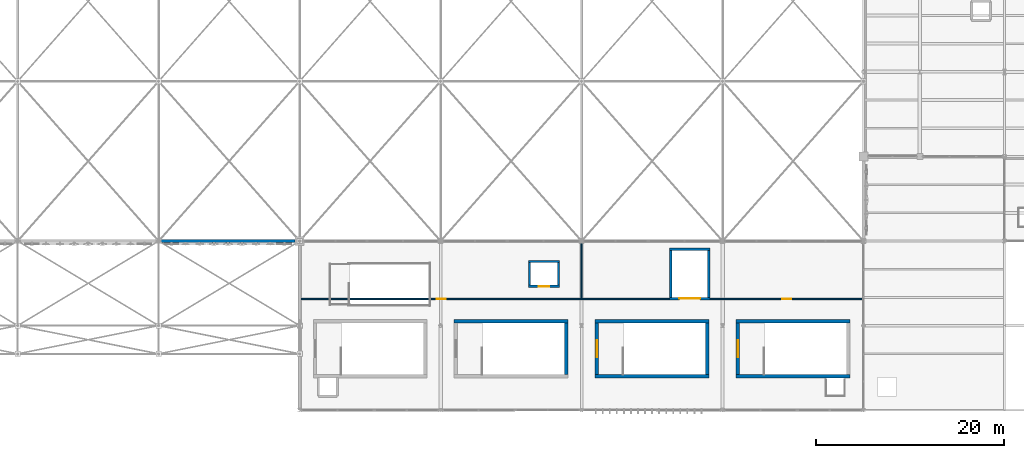
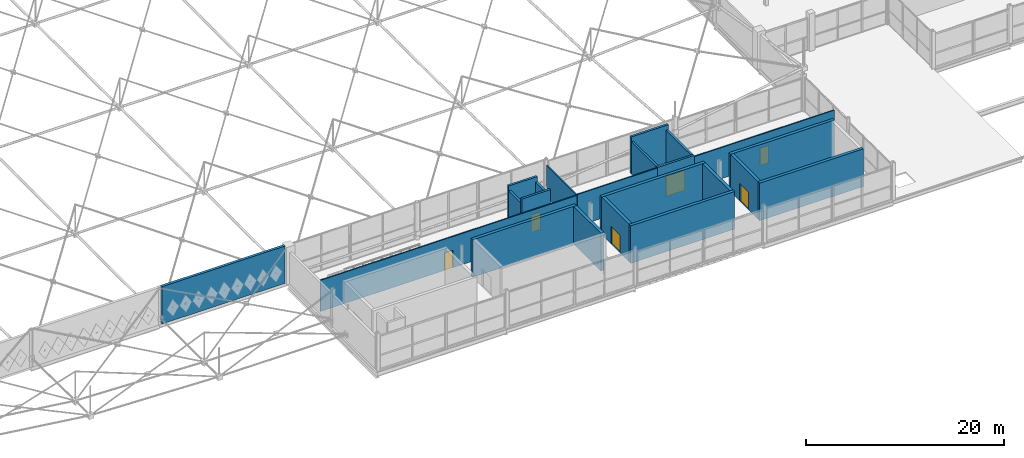
# One storey, part 194 of 224: 22 walls, 6 doors, 6 openings.
"""IFC4 building model written with IfcOpenShell, lengths in metres."""

from ifc_helpers import new_model, si_unit, direction, frame, frame_2d, origin, place, context, subcontext, project, spatial, rectangle, extrude, material, layer, layer_set, type_object, element, fill, save


model = new_model("IFC4")

# Units and contexts
model_context = context("Model", 3, precision=1e-05, world=origin(), true_north=direction((0.0, 1.0)))
body_context = subcontext(model_context, "Body", "Model", "MODEL_VIEW")
ifc_project = project(units=[si_unit("LENGTHUNIT", "METRE"), si_unit("AREAUNIT", "SQUARE_METRE"), si_unit("VOLUMEUNIT", "CUBIC_METRE"), si_unit("PLANEANGLEUNIT", "RADIAN"), si_unit("MASSUNIT", "GRAM", prefix="KILO")], contexts=[model_context])

# Site, building, storey
site_placement = place(None, origin())
site = spatial("IfcSite", under=ifc_project, at=site_placement, CompositionType="ELEMENT")
building_placement = place(site_placement, origin())
building = spatial("IfcBuilding", under=site, at=building_placement, Name="Qamarlyn Nura Convention Centre", CompositionType="ELEMENT")
storey_placement = place(building_placement, frame((0.0, 0.0, 10.800048828125)))
storey = spatial("IfcBuildingStorey", under=building, at=storey_placement, Name="L02", CompositionType="ELEMENT", Elevation=10.800048828125)

# Walls
ifc_material_1 = material(Name="Concrete C50/60", Category="concrete")
ifc_layer_1 = layer(ifc_material_1, 0.35009765625, Name="WT-CORE-350")
ifc_layer_set_1 = layer_set([ifc_layer_1], Name="Concrete C50/60")
wall_type_1 = type_object("IfcWallType", Name="WT-CORE-350", PredefinedType="SHEAR", material=ifc_layer_set_1)
wall_1_placement = place(storey_placement, frame((88.550048828125, 9.47509765625, 0.0), z_axis=(0.0, 0.0, 1.0), x_axis=(-1.0, 0.0, 0.0)))
element("IfcWall", 1, at=wall_1_placement, inside=storey, type_object=wall_type_1, Name="L02 stair core shear wall ST-06-N", PredefinedType="SHEAR", context=body_context, shape_type="SweptSolid", body=[
    extrude(rectangle(XDim=12.10009765625, YDim=0.35009765625, at=frame_2d((6.050048828125, 0.0))), origin(), (0.0, 0.0, 1.0), 4.625),
])
wall_2_placement = place(storey_placement, frame((88.375, 3.800048828125, 0.0), z_axis=(0.0, 0.0, 1.0), x_axis=(0.0, 1.0, 0.0)))
element("IfcWall", 2, at=wall_2_placement, inside=storey, type_object=wall_type_1, Name="L02 stair core shear wall ST-06-E", PredefinedType="SHEAR", context=body_context, shape_type="SweptSolid", body=[
    extrude(rectangle(XDim=5.5, YDim=0.35009765625, at=frame_2d((2.75, 0.0))), origin(), (0.0, 0.0, 1.0), 4.625),
])
for number, where, z_axis, x_axis, name in (
    (3, (91.449951171875, 3.625, 0.0), (0.0, 0.0, 1.0), (1.0, 0.0, 0.0), "L02 stair core shear wall ST-07-S"),
    (4, (103.550048828125, 9.47509765625, 0.0), (0.0, 0.0, 1.0), (-1.0, 0.0, 0.0), "L02 stair core shear wall ST-07-N"),
):
    element("IfcWall", number, at=place(storey_placement, frame(where, z_axis=z_axis, x_axis=x_axis)), inside=storey, type_object=wall_type_1, Name=name, PredefinedType="SHEAR", context=body_context, shape_type="SweptSolid", body=[
        extrude(rectangle(XDim=12.10009765625, YDim=0.35009765625, at=frame_2d((6.050048828125, 0.0))), origin(), (0.0, 0.0, 1.0), 4.625),
    ])

# Wall, opening, door
wall_3_placement = place(storey_placement, frame((91.625, 9.300048828125, 0.0), z_axis=(0.0, 0.0, 1.0), x_axis=(0.0, -1.0, 0.0)))
wall_3 = element("IfcWall", 5, at=wall_3_placement, inside=storey, type_object=wall_type_1, Name="L02 stair core shear wall ST-07-W", PredefinedType="SHEAR", context=body_context, shape_type="SweptSolid", body=[
    extrude(rectangle(XDim=5.5, YDim=0.35009765625, at=frame_2d((2.75, 0.0))), origin(), (0.0, 0.0, 1.0), 4.625),
])
opening_1_placement = place(wall_3_placement, frame((1.85009765625, 0.0, 0.0)))
opening_1 = element("IfcOpeningElement", 6, at=opening_1_placement, cuts=wall_3, Name="Opening DS-024", PredefinedType="OPENING", context=body_context, shape_type="SweptSolid", body=[
    extrude(rectangle(XDim=1.800048828125, YDim=2.199951171875, at=frame_2d((0.89990234375, 1.10009765625))), frame((0.0, 0.18505859375, 0.0), z_axis=(0.0, -1.0, 0.0), x_axis=(1.0, 0.0, 0.0)), (0.0, 0.0, 1.0), 0.3701171875),
])
ifc_material_2 = material(Name="Galvanised fire-rated hollow steel door", Category="steel")
door_type_1 = type_object("IfcDoorType", Name="DR-STAIR-1800", OperationType="DOUBLE_DOOR_SINGLE_SWING", PredefinedType="DOOR", material=ifc_material_2)
door_1_placement = place(opening_1_placement, origin())
door_1 = element("IfcDoor", 7, at=door_1_placement, inside=storey, type_object=door_type_1, Name="L02 exit stair door ST-07 (DS-024)", OperationType="DOUBLE_DOOR_SINGLE_SWING", OverallHeight=2.199951171875, OverallWidth=1.800048828125, PredefinedType="DOOR", context=body_context, shape_type="SweptSolid", body=[
    extrude(rectangle(XDim=1.800048828125, YDim=2.199951171875, at=frame_2d((0.89990234375, 1.10009765625))), frame((0.0, 0.02490234375, 0.0), z_axis=(0.0, -1.0, 0.0), x_axis=(1.0, 0.0, 0.0)), (0.0, 0.0, 1.0), 0.050048828125),
])
fill(opening_1, door_1)

# Walls
wall_4_placement = place(storey_placement, frame((103.375, 3.800048828125, 0.0), z_axis=(0.0, 0.0, 1.0), x_axis=(0.0, 1.0, 0.0)))
element("IfcWall", 8, at=wall_4_placement, inside=storey, type_object=wall_type_1, Name="L02 stair core shear wall ST-07-E", PredefinedType="SHEAR", context=body_context, shape_type="SweptSolid", body=[
    extrude(rectangle(XDim=5.5, YDim=0.35009765625, at=frame_2d((2.75, 0.0))), origin(), (0.0, 0.0, 1.0), 4.625),
])
for number, where, z_axis, x_axis, name in (
    (9, (106.449951171875, 3.625, 0.0), (0.0, 0.0, 1.0), (1.0, 0.0, 0.0), "L02 stair core shear wall ST-08-S"),
    (10, (118.550048828125, 9.47509765625, 0.0), (0.0, 0.0, 1.0), (-1.0, 0.0, 0.0), "L02 stair core shear wall ST-08-N"),
):
    element("IfcWall", number, at=place(storey_placement, frame(where, z_axis=z_axis, x_axis=x_axis)), inside=storey, type_object=wall_type_1, Name=name, PredefinedType="SHEAR", context=body_context, shape_type="SweptSolid", body=[
        extrude(rectangle(XDim=12.10009765625, YDim=0.35009765625, at=frame_2d((6.050048828125, 0.0))), origin(), (0.0, 0.0, 1.0), 4.625),
    ])

# Wall, opening, door
wall_5_placement = place(storey_placement, frame((106.625, 9.300048828125, 0.0), z_axis=(0.0, 0.0, 1.0), x_axis=(0.0, -1.0, 0.0)))
wall_5 = element("IfcWall", 11, at=wall_5_placement, inside=storey, type_object=wall_type_1, Name="L02 stair core shear wall ST-08-W", PredefinedType="SHEAR", context=body_context, shape_type="SweptSolid", body=[
    extrude(rectangle(XDim=5.5, YDim=0.35009765625, at=frame_2d((2.75, 0.0))), origin(), (0.0, 0.0, 1.0), 4.625),
])
opening_2_placement = place(wall_5_placement, frame((1.85009765625, 0.0, 0.0)))
opening_2 = element("IfcOpeningElement", 12, at=opening_2_placement, cuts=wall_5, Name="Opening DS-028", PredefinedType="OPENING", context=body_context, shape_type="SweptSolid", body=[
    extrude(rectangle(XDim=1.800048828125, YDim=2.199951171875, at=frame_2d((0.89990234375, 1.10009765625))), frame((0.0, 0.18505859375, 0.0), z_axis=(0.0, -1.0, 0.0), x_axis=(1.0, 0.0, 0.0)), (0.0, 0.0, 1.0), 0.3701171875),
])
door_2_placement = place(opening_2_placement, origin())
door_2 = element("IfcDoor", 13, at=door_2_placement, inside=storey, type_object=door_type_1, Name="L02 exit stair door ST-08 (DS-028)", OperationType="DOUBLE_DOOR_SINGLE_SWING", OverallHeight=2.199951171875, OverallWidth=1.800048828125, PredefinedType="DOOR", context=body_context, shape_type="SweptSolid", body=[
    extrude(rectangle(XDim=1.800048828125, YDim=2.199951171875, at=frame_2d((0.89990234375, 1.10009765625))), frame((0.0, 0.02490234375, 0.0), z_axis=(0.0, -1.0, 0.0), x_axis=(1.0, 0.0, 0.0)), (0.0, 0.0, 1.0), 0.050048828125),
])
fill(opening_2, door_2)

# Walls
ifc_material_3 = material(Name="Concrete C40/50 with UAE coastal limestone stone facing", Category="masonry")
ifc_layer_2 = layer(ifc_material_3, 0.300048828125, Name="WT-LIME-300")
ifc_layer_set_2 = layer_set([ifc_layer_2], Name="Concrete C40/50 with UAE coastal limestone stone facing")
wall_type_2 = type_object("IfcWallType", Name="WT-LIME-300", PredefinedType="SOLIDWALL", material=ifc_layer_set_2)
wall_6_placement = place(storey_placement, frame((59.52490234375, 18.0, 0.0), z_axis=(0.0, 0.0, 1.0), x_axis=(-1.0, 0.0, 0.0)))
element("IfcWall", 14, at=wall_6_placement, inside=storey, type_object=wall_type_2, Name="L02 exterior facade wall WEXT-L02-595-180-452-180", PredefinedType="SOLIDWALL", context=body_context, shape_type="SweptSolid", body=[
    extrude(rectangle(XDim=14.32177734375, YDim=0.300048828125, at=frame_2d((7.160888671875, 0.0))), origin(), (0.0, 0.0, 1.0), 4.599853515625),
])
ifc_material_4 = material(Name="Acoustic double-stud gypsum partition")
ifc_layer_3 = layer(ifc_material_4, 0.135009765625, Name="WT-PART-135")
ifc_layer_set_3 = layer_set([ifc_layer_3], Name="Acoustic double-stud gypsum partition")
wall_type_3 = type_object("IfcWallType", Name="WT-PART-135", PredefinedType="PARTITIONING", material=ifc_layer_set_3)
wall_7_placement = place(storey_placement, frame((90.0, 17.7900390625, 0.0), z_axis=(0.0, 0.0, 1.0), x_axis=(0.0, -1.0, 0.0)))
element("IfcWall", 15, at=wall_7_placement, inside=storey, type_object=wall_type_3, Name="L02 interior partition L02-BRK-SG1-2-1", PredefinedType="PARTITIONING", context=body_context, shape_type="SweptSolid", body=[
    extrude(rectangle(XDim=5.949951171875, YDim=0.135009765625, at=frame_2d((2.97509765625, 0.0))), origin(), (0.0, 0.0, 1.0), 3.926025390625),
])

# Wall, opening, door
wall_8_placement = place(storey_placement, frame((90.0, 11.840087890625, 0.0), z_axis=(0.0, 0.0, 1.0), x_axis=(-1.0, 0.0, 0.0)))
wall_8 = element("IfcWall", 16, at=wall_8_placement, inside=storey, type_object=wall_type_3, Name="L02 interior partition L02-BRK-SG1-3-1", PredefinedType="PARTITIONING", context=body_context, shape_type="SweptSolid", body=[
    extrude(rectangle(XDim=29.860107421875, YDim=0.135009765625, at=frame_2d((14.93017578125, 0.0))), origin(), (0.0, 0.0, 1.0), 3.8369140625),
])
opening_3_placement = place(wall_8_placement, frame((14.4599609375, 0.0, 0.0)))
opening_3 = element("IfcOpeningElement", 17, at=opening_3_placement, cuts=wall_8, Name="Opening D-L02-184", PredefinedType="OPENING", context=body_context, shape_type="SweptSolid", body=[
    extrude(rectangle(XDim=0.93994140625, YDim=2.14990234375, at=frame_2d((0.469970703125, 1.074951171875))), frame((0.0, 0.07763671875, 0.0), z_axis=(0.0, -1.0, 0.0), x_axis=(1.0, 0.0, 0.0)), (0.0, 0.0, 1.0), 0.155029296875),
])
ifc_material_5 = material(Name="Acoustic walnut timber leaf", Category="wood")
door_type_2 = type_object("IfcDoorType", Name="DR-ROOM-0940", OperationType="NOTDEFINED", PredefinedType="DOOR", material=ifc_material_5)
door_3_placement = place(opening_3_placement, origin())
door_3 = element("IfcDoor", 18, at=door_3_placement, inside=storey, type_object=door_type_2, Name="L02 Gallery Conference Suite 201 door D-L02-184", OperationType="SINGLE_SWING_LEFT", OverallHeight=2.14990234375, OverallWidth=0.93994140625, PredefinedType="DOOR", context=body_context, shape_type="SweptSolid", body=[
    extrude(rectangle(XDim=0.93994140625, YDim=2.14990234375, at=frame_2d((0.469970703125, 1.074951171875))), frame((0.0, 0.02490234375, 0.0), z_axis=(0.0, -1.0, 0.0), x_axis=(1.0, 0.0, 0.0)), (0.0, 0.0, 1.0), 0.050048828125),
])
fill(opening_3, door_3)

wall_9_placement = place(storey_placement, frame((119.988037109375, 11.840087890625, 0.0), z_axis=(0.0, 0.0, 1.0), x_axis=(-1.0, 0.0, 0.0)))
wall_9 = element("IfcWall", 19, at=wall_9_placement, inside=storey, type_object=wall_type_3, Name="L02 interior partition L02-BRK-SG2-2-1", PredefinedType="PARTITIONING", context=body_context, shape_type="SweptSolid", body=[
    extrude(rectangle(XDim=16.338134765625, YDim=0.135009765625, at=frame_2d((8.1689453125, 0.0))), origin(), (0.0, 0.0, 1.0), 3.8369140625),
])
opening_4_placement = place(wall_9_placement, frame((7.678955078125, 0.0, 0.0)))
opening_4 = element("IfcOpeningElement", 20, at=opening_4_placement, cuts=wall_9, Name="Opening D-L02-185", PredefinedType="OPENING", context=body_context, shape_type="SweptSolid", body=[
    extrude(rectangle(XDim=0.97998046875, YDim=2.14990234375, at=frame_2d((0.489990234375, 1.074951171875))), frame((0.0, 0.07763671875, 0.0), z_axis=(0.0, -1.0, 0.0), x_axis=(1.0, 0.0, 0.0)), (0.0, 0.0, 1.0), 0.155029296875),
])
door_type_3 = type_object("IfcDoorType", Name="DR-ROOM-0980", OperationType="NOTDEFINED", PredefinedType="DOOR", material=ifc_material_5)
door_4_placement = place(opening_4_placement, origin())
door_4 = element("IfcDoor", 21, at=door_4_placement, inside=storey, type_object=door_type_3, Name="L02 Gallery Conference Suite 202 door D-L02-185", OperationType="SINGLE_SWING_RIGHT", OverallHeight=2.14990234375, OverallWidth=0.97998046875, PredefinedType="DOOR", context=body_context, shape_type="SweptSolid", body=[
    extrude(rectangle(XDim=0.97998046875, YDim=2.14990234375, at=frame_2d((0.489990234375, 1.074951171875))), frame((0.0, 0.02490234375, 0.0), z_axis=(0.0, -1.0, 0.0), x_axis=(1.0, 0.0, 0.0)), (0.0, 0.0, 1.0), 0.050048828125),
])
fill(opening_4, door_4)

# Wall
wall_10_placement = place(storey_placement, frame((99.35009765625, 11.840087890625, 0.0), z_axis=(0.0, 0.0, 1.0), x_axis=(-1.0, 0.0, 0.0)))
element("IfcWall", 22, at=wall_10_placement, inside=storey, type_object=wall_type_3, Name="L02 interior partition L02-BRK-SG2-52-1", PredefinedType="PARTITIONING", context=body_context, shape_type="SweptSolid", body=[
    extrude(rectangle(XDim=9.31005859375, YDim=0.135009765625, at=frame_2d((4.655029296875, 0.0))), origin(), (0.0, 0.0, 1.0), 3.926025390625),
])

# Wall, opening, door
ifc_material_6 = material(Name="Fire-rated acoustic gypsum board and mineral wool EI 120")
ifc_layer_4 = layer(ifc_material_6, 0.25, Name="WT-SHAFT-250")
ifc_layer_set_4 = layer_set([ifc_layer_4], Name="Fire-rated acoustic gypsum board and mineral wool EI 120")
wall_type_4 = type_object("IfcWallType", Name="WT-SHAFT-250", PredefinedType="SOLIDWALL", material=ifc_layer_set_4)
wall_11_placement = place(storey_placement, frame((84.324951171875, 13.175048828125, 0.0), z_axis=(0.0, 0.0, 1.0), x_axis=(1.0, 0.0, 0.0)))
wall_11 = element("IfcWall", 23, at=wall_11_placement, inside=storey, type_object=wall_type_4, Name="L02 lift shaft enclosure wall PL-06 -y", PredefinedType="SOLIDWALL", context=body_context, shape_type="SweptSolid", body=[
    extrude(rectangle(XDim=3.35009765625, YDim=0.25, at=frame_2d((1.675048828125, 0.0))), origin(), (0.0, 0.0, 1.0), 4.599853515625),
])
opening_5_placement = place(wall_11_placement, frame((1.125, 0.0, 0.0)))
opening_5 = element("IfcOpeningElement", 24, at=opening_5_placement, cuts=wall_11, Name="Opening LD-PL-06-L02", PredefinedType="OPENING", context=body_context, shape_type="SweptSolid", body=[
    extrude(rectangle(XDim=1.10009765625, YDim=2.199951171875, at=frame_2d((0.550048828125, 1.10009765625))), frame((0.0, 0.135009765625, 0.0), z_axis=(0.0, -1.0, 0.0), x_axis=(1.0, 0.0, 0.0)), (0.0, 0.0, 1.0), 0.27001953125),
])
ifc_material_7 = material(Name="Marine Grade 316 stainless steel", Category="steel")
door_type_4 = type_object("IfcDoorType", Name="DR-LD-PAX", OperationType="DOUBLE_DOOR_SLIDING", PredefinedType="DOOR", material=ifc_material_7)
door_5_placement = place(opening_5_placement, origin())
door_5 = element("IfcDoor", 25, at=door_5_placement, inside=storey, type_object=door_type_4, Name="Lift landing door LD-PL-06-L02", OperationType="DOUBLE_DOOR_SLIDING", OverallHeight=2.199951171875, OverallWidth=1.10009765625, PredefinedType="DOOR", context=body_context, shape_type="SweptSolid", body=[
    extrude(rectangle(XDim=1.10009765625, YDim=2.199951171875, at=frame_2d((0.550048828125, 1.10009765625))), frame((0.0, 0.02490234375, 0.0), z_axis=(0.0, -1.0, 0.0), x_axis=(1.0, 0.0, 0.0)), (0.0, 0.0, 1.0), 0.050048828125),
])
fill(opening_5, door_5)

# Walls
wall_12_placement = place(storey_placement, frame((87.675048828125, 15.824951171875, 0.0), z_axis=(0.0, 0.0, 1.0), x_axis=(-1.0, 0.0, 0.0)))
element("IfcWall", 26, at=wall_12_placement, inside=storey, type_object=wall_type_4, Name="L02 lift shaft enclosure wall PL-06 +y", PredefinedType="SOLIDWALL", context=body_context, shape_type="SweptSolid", body=[
    extrude(rectangle(XDim=3.35009765625, YDim=0.25, at=frame_2d((1.675048828125, 0.0))), origin(), (0.0, 0.0, 1.0), 4.599853515625),
])
for number, where, z_axis, x_axis, name in (
    (27, (84.449951171875, 15.699951171875, 0.0), (0.0, 0.0, 1.0), (0.0, -1.0, 0.0), "L02 lift shaft enclosure wall PL-06 -x"),
    (28, (87.550048828125, 13.300048828125, 0.0), (0.0, 0.0, 1.0), (0.0, 1.0, 0.0), "L02 lift shaft enclosure wall PL-06 +x"),
):
    element("IfcWall", number, at=place(storey_placement, frame(where, z_axis=z_axis, x_axis=x_axis)), inside=storey, type_object=wall_type_4, Name=name, PredefinedType="SOLIDWALL", context=body_context, shape_type="SweptSolid", body=[
        extrude(rectangle(XDim=2.39990234375, YDim=0.25, at=frame_2d((1.199951171875, 0.0))), origin(), (0.0, 0.0, 1.0), 4.001953125),
    ])

# Wall, opening, door
wall_13_placement = place(storey_placement, frame((99.35009765625, 11.875, 0.0), z_axis=(0.0, 0.0, 1.0), x_axis=(1.0, 0.0, 0.0)))
wall_13 = element("IfcWall", 29, at=wall_13_placement, inside=storey, type_object=wall_type_4, Name="L02 lift shaft enclosure wall FL-02 -y", PredefinedType="SOLIDWALL", context=body_context, shape_type="SweptSolid", body=[
    extrude(rectangle(XDim=4.2998046875, YDim=0.25, at=frame_2d((2.14990234375, 0.0))), origin(), (0.0, 0.0, 1.0), 4.001953125),
])
opening_6_placement = place(wall_13_placement, frame((1.050048828125, 0.0, 0.0)))
opening_6 = element("IfcOpeningElement", 30, at=opening_6_placement, cuts=wall_13, Name="Opening LD-FL-02-L02", PredefinedType="OPENING", context=body_context, shape_type="SweptSolid", body=[
    extrude(rectangle(XDim=2.199951171875, YDim=2.5, at=frame_2d((1.10009765625, 1.25))), frame((0.0, 0.135009765625, 0.0), z_axis=(0.0, -1.0, 0.0), x_axis=(1.0, 0.0, 0.0)), (0.0, 0.0, 1.0), 0.27001953125),
])
door_type_5 = type_object("IfcDoorType", Name="DR-LD-FRT", OperationType="DOUBLE_DOOR_SLIDING", PredefinedType="DOOR", material=ifc_material_2)
door_6_placement = place(opening_6_placement, origin())
door_6 = element("IfcDoor", 31, at=door_6_placement, inside=storey, type_object=door_type_5, Name="Lift landing door LD-FL-02-L02", OperationType="DOUBLE_DOOR_SLIDING", OverallHeight=2.5, OverallWidth=2.199951171875, PredefinedType="DOOR", context=body_context, shape_type="SweptSolid", body=[
    extrude(rectangle(XDim=2.199951171875, YDim=2.5, at=frame_2d((1.10009765625, 1.25))), frame((0.0, 0.02490234375, 0.0), z_axis=(0.0, -1.0, 0.0), x_axis=(1.0, 0.0, 0.0)), (0.0, 0.0, 1.0), 0.050048828125),
])
fill(opening_6, door_6)

# Walls
wall_14_placement = place(storey_placement, frame((103.64990234375, 17.125, 0.0), z_axis=(0.0, 0.0, 1.0), x_axis=(-1.0, 0.0, 0.0)))
element("IfcWall", 32, at=wall_14_placement, inside=storey, type_object=wall_type_4, Name="L02 lift shaft enclosure wall FL-02 +y", PredefinedType="SOLIDWALL", context=body_context, shape_type="SweptSolid", body=[
    extrude(rectangle(XDim=4.2998046875, YDim=0.25, at=frame_2d((2.14990234375, 0.0))), origin(), (0.0, 0.0, 1.0), 4.599853515625),
])
for number, where, z_axis, x_axis, name in (
    (33, (99.47509765625, 17.0, 0.0), (0.0, 0.0, 1.0), (0.0, -1.0, 0.0), "L02 lift shaft enclosure wall FL-02 -x"),
    (34, (103.52490234375, 12.0, 0.0), (0.0, 0.0, 1.0), (0.0, 1.0, 0.0), "L02 lift shaft enclosure wall FL-02 +x"),
):
    element("IfcWall", number, at=place(storey_placement, frame(where, z_axis=z_axis, x_axis=x_axis)), inside=storey, type_object=wall_type_4, Name=name, PredefinedType="SOLIDWALL", context=body_context, shape_type="SweptSolid", body=[
        extrude(rectangle(XDim=5.0, YDim=0.25, at=frame_2d((2.5, 0.0))), origin(), (0.0, 0.0, 1.0), 4.001953125),
    ])

save(model, "model.ifc")
